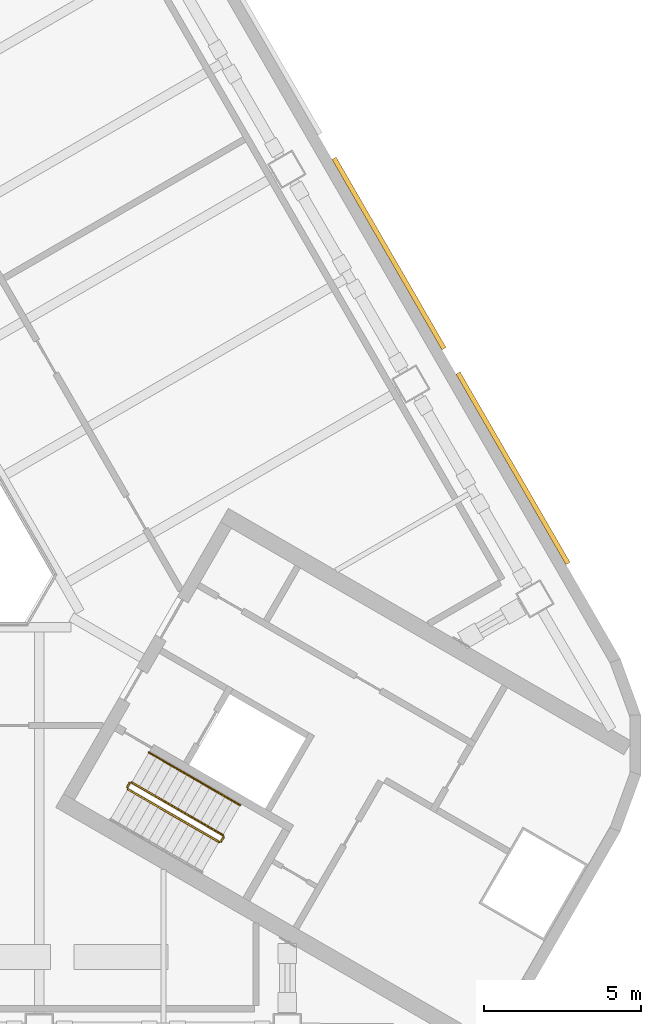
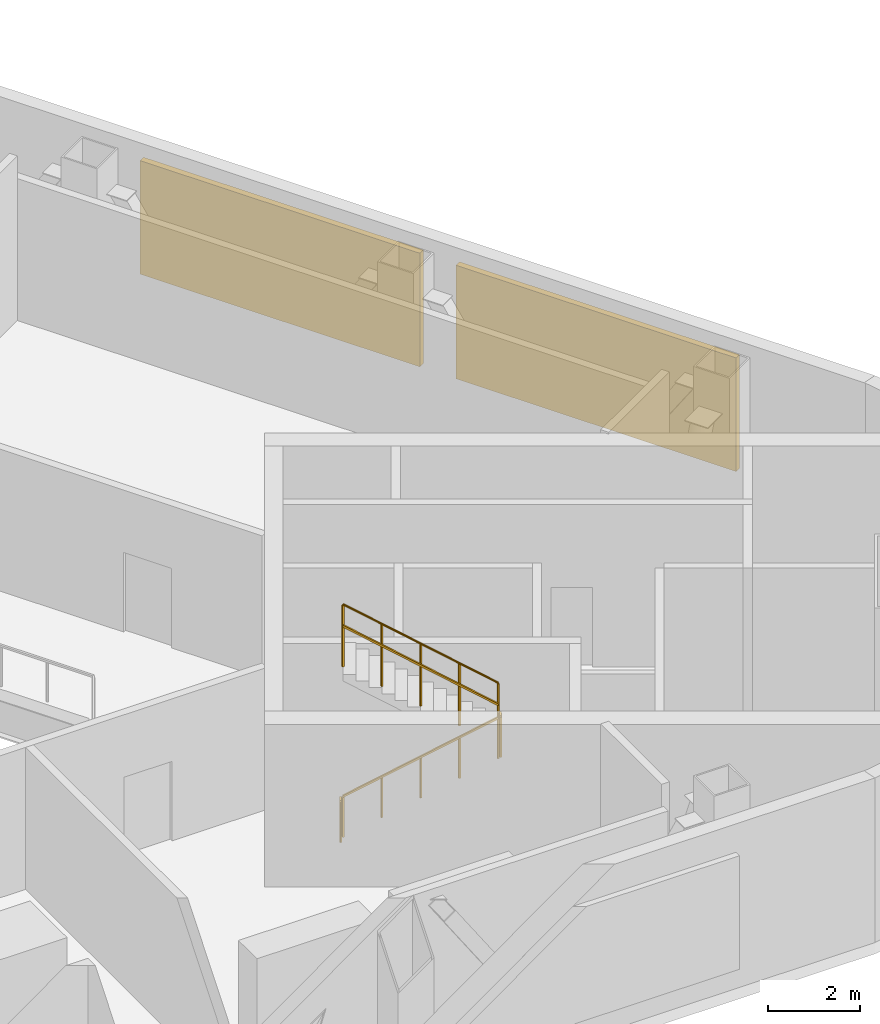
# One storey, part 12 of 14: 5 railings, 2 shading devices.
"""IFC4 building model written with IfcOpenShell, lengths in metres."""

from ifc_helpers import new_model, si_unit, direction, frame, origin, origin_2d, place, context, subcontext, project, spatial, rectangle, circle, extrude, material, type_object, element, save


model = new_model("IFC4")

# Units and contexts
model_context = context("Model", 3, precision=1e-05, world=origin(), true_north=direction((0.0, 1.0)))
body_context = subcontext(model_context, "Body", "Model", "MODEL_VIEW")
ifc_project = project(units=[si_unit("LENGTHUNIT", "METRE"), si_unit("AREAUNIT", "SQUARE_METRE"), si_unit("VOLUMEUNIT", "CUBIC_METRE"), si_unit("PLANEANGLEUNIT", "RADIAN"), si_unit("MASSUNIT", "GRAM", prefix="KILO")], contexts=[model_context])

# Site, building, storey
site_placement = place(None, origin())
site = spatial("IfcSite", under=ifc_project, at=site_placement, CompositionType="ELEMENT")
building_placement = place(site_placement, origin())
building = spatial("IfcBuilding", under=site, at=building_placement, Name="Apuvela Tower Hotel", CompositionType="ELEMENT")
storey_placement = place(building_placement, frame((0.0, 0.0, 142.10009765625)))
storey = spatial("IfcBuildingStorey", under=building, at=storey_placement, Name="L33 Plant", CompositionType="ELEMENT", Elevation=142.10009765625)

# Railings
ifc_material_1 = material(Name="Steel S275 balustrade", Category="steel")
railing_type_1 = type_object("IfcRailingType", Name="COR-GUARD-1100", PredefinedType="GUARDRAIL", material=ifc_material_1)
railing_1_placement = place(storey_placement, frame((10.718994140625, -10.63427734375, 0.173095703125)))
element("IfcRailing", 1, at=railing_1_placement, inside=storey, type_object=railing_type_1, Name="L33 Plant ST3 stair guard 1", PredefinedType="GUARDRAIL", context=body_context, shape_type="SweptSolid", body=[
    extrude(rectangle(XDim=0.048095703125, YDim=0.048095703125, at=origin_2d()), frame((0.0, 0.0, 1.076171875), z_axis=(0.736667954249, -0.425288379326, 0.525785240943), x_axis=(0.499976138585, 0.866039179741, 0.0)), (0.0, 0.0, 1.0), 3.9501953125),
    extrude(rectangle(XDim=0.0419921875, YDim=0.0419921875, at=origin_2d()), origin(), (0.0, 0.0, 1.0), 1.052001953125),
    extrude(rectangle(XDim=0.0419921875, YDim=0.0419921875, at=origin_2d()), frame((0.7275390625, -0.419921875, 0.519287109375)), (0.0, 0.0, 1.0), 1.052001953125),
    extrude(rectangle(XDim=0.0419921875, YDim=0.0419921875, at=origin_2d()), frame((1.455078125, -0.83984375, 1.03857421875)), (0.0, 0.0, 1.0), 1.052001953125),
    extrude(rectangle(XDim=0.0419921875, YDim=0.0419921875, at=origin_2d()), frame((2.182373046875, -1.260009765625, 1.5576171875)), (0.0, 0.0, 1.0), 1.052001953125),
    extrude(rectangle(XDim=0.0419921875, YDim=0.0419921875, at=origin_2d()), frame((2.909912109375, -1.679931640625, 2.076904296875)), (0.0, 0.0, 1.0), 1.052001953125),
])
railing_2_placement = place(storey_placement, frame((13.697021484375, -12.2958984375, 2.25)))
element("IfcRailing", 2, at=railing_2_placement, inside=storey, type_object=railing_type_1, Name="L33 Plant ST3 stair guard 2", PredefinedType="GUARDRAIL", context=body_context, shape_type="SweptSolid", body=[
    extrude(rectangle(XDim=0.048095703125, YDim=0.048095703125, at=origin_2d()), frame((0.0, 0.0, 1.076171875), z_axis=(0.501036270542, 0.865426285481, 0.0), x_axis=(-0.865426285481, 0.501036270542, 0.0)), (0.0, 0.0, 1.0), 0.150146484375),
    extrude(rectangle(XDim=0.0419921875, YDim=0.0419921875, at=origin_2d()), origin(), (0.0, 0.0, 1.0), 1.052001953125),
    extrude(rectangle(XDim=0.0419921875, YDim=0.0419921875, at=origin_2d()), frame((0.0751953125, 0.1298828125, 0.0)), (0.0, 0.0, 1.0), 1.052001953125),
])
railing_3_placement = place(storey_placement, frame((13.75390625, -12.09765625, 2.423095703125)))
element("IfcRailing", 3, at=railing_3_placement, inside=storey, type_object=railing_type_1, Name="L33 Plant ST3 stair guard 3", PredefinedType="GUARDRAIL", context=body_context, shape_type="SweptSolid", body=[
    extrude(rectangle(XDim=0.048095703125, YDim=0.048095703125, at=origin_2d()), frame((0.0, 0.0, 1.076171875), z_axis=(-0.736667954249, 0.425288379326, 0.525785240943), x_axis=(-0.499976138585, -0.866039179741, 0.0)), (0.0, 0.0, 1.0), 3.9501953125),
    extrude(rectangle(XDim=0.0419921875, YDim=0.0419921875, at=origin_2d()), origin(), (0.0, 0.0, 1.0), 1.052001953125),
    extrude(rectangle(XDim=0.0419921875, YDim=0.0419921875, at=origin_2d()), frame((-0.7275390625, 0.419921875, 0.519287109375)), (0.0, 0.0, 1.0), 1.052001953125),
    extrude(rectangle(XDim=0.0419921875, YDim=0.0419921875, at=origin_2d()), frame((-1.455078125, 0.83984375, 1.03857421875)), (0.0, 0.0, 1.0), 1.052001953125),
    extrude(rectangle(XDim=0.0419921875, YDim=0.0419921875, at=origin_2d()), frame((-2.182373046875, 1.260009765625, 1.5576171875)), (0.0, 0.0, 1.0), 1.052001953125),
    extrude(rectangle(XDim=0.0419921875, YDim=0.0419921875, at=origin_2d()), frame((-2.909912109375, 1.679931640625, 2.076904296875)), (0.0, 0.0, 1.0), 1.052001953125),
])
railing_4_placement = place(storey_placement, frame((10.70068359375, -10.56591796875, 0.0)))
element("IfcRailing", 4, at=railing_4_placement, inside=storey, type_object=railing_type_1, Name="L33 Plant ST3 stair guard 4", PredefinedType="GUARDRAIL", context=body_context, shape_type="SweptSolid", body=[
    extrude(rectangle(XDim=0.048095703125, YDim=0.048095703125, at=origin_2d()), frame((0.0, 0.0, 1.076171875), z_axis=(0.499816412211, 0.866131372301, 0.0), x_axis=(-0.866131372301, 0.499816412211, 0.0)), (0.0, 0.0, 1.0), 0.14990234375),
    extrude(rectangle(XDim=0.0419921875, YDim=0.0419921875, at=origin_2d()), origin(), (0.0, 0.0, 1.0), 1.052001953125),
    extrude(rectangle(XDim=0.0419921875, YDim=0.0419921875, at=origin_2d()), frame((0.074951171875, 0.1298828125, 0.0)), (0.0, 0.0, 1.0), 1.052001953125),
])
ifc_material_2 = material(Name="Stainless steel 316 handrail", Category="steel")
railing_type_2 = type_object("IfcRailingType", Name="COR-HANDRAIL-900", PredefinedType="HANDRAIL", material=ifc_material_2)
railing_5_placement = place(storey_placement, frame((14.3037109375, -11.14501953125, 2.423095703125)))
element("IfcRailing", 5, at=railing_5_placement, inside=storey, type_object=railing_type_2, Name="L33 Plant ST3 stair handrail 2", PredefinedType="HANDRAIL", context=body_context, shape_type="SweptSolid", body=[
    extrude(circle(Radius=0.02392578125, at=origin_2d()), frame((0.0, 0.0, 0.8759765625), z_axis=(-0.736639687092, 0.425307743487, 0.525809180911), x_axis=(-0.500007602105, -0.866021014662, 0.0)), (0.0, 0.0, 1.0), 3.949951171875),
    extrude(rectangle(XDim=0.0419921875, YDim=0.0419921875, at=origin_2d()), origin(), (0.0, 0.0, 1.0), 0.851806640625),
    extrude(rectangle(XDim=0.0419921875, YDim=0.0419921875, at=origin_2d()), frame((-0.7275390625, 0.419921875, 0.519287109375)), (0.0, 0.0, 1.0), 0.851806640625),
    extrude(rectangle(XDim=0.0419921875, YDim=0.0419921875, at=origin_2d()), frame((-1.454833984375, 0.83984375, 1.03857421875)), (0.0, 0.0, 1.0), 0.851806640625),
    extrude(rectangle(XDim=0.0419921875, YDim=0.0419921875, at=origin_2d()), frame((-2.18212890625, 1.260009765625, 1.5576171875)), (0.0, 0.0, 1.0), 0.851806640625),
    extrude(rectangle(XDim=0.0419921875, YDim=0.0419921875, at=origin_2d()), frame((-2.90966796875, 1.679931640625, 2.076904296875)), (0.0, 0.0, 1.0), 0.851806640625),
])

# Shading devices
ifc_material_3 = material(Name="Aluminium 6063-T6, black anodised louvre blades", Category="aluminium")
shading_device_type = type_object("IfcShadingDeviceType", Name="ENV-LOUVRE-SCREEN", PredefinedType="USERDEFINED", material=ifc_material_3)
for number, where, z_axis, x_axis, name in (
    (6, (22.989990234375, -0.409912109375, 0.599853515625), (0.0, 0.0, 1.0), (-0.5, 0.866025403784, 0.0), "Plant louvre NE5"),
    (7, (19.0400390625, 6.431640625, 0.599853515625), (0.0, 0.0, 1.0), (-0.5, 0.866025403784, 0.0), "Plant louvre NE6"),
):
    element("IfcShadingDevice", number, at=place(storey_placement, frame(where, z_axis=z_axis, x_axis=x_axis)), inside=storey, type_object=shading_device_type, Name=name, ObjectType="LOUVRE", PredefinedType="USERDEFINED", context=body_context, shape_type="SweptSolid", body=[
        extrude(rectangle(XDim=7.0, YDim=0.14990234375, at=origin_2d()), origin(), (0.0, 0.0, 1.0), 3.0),
    ])

save(model, "model.ifc")
